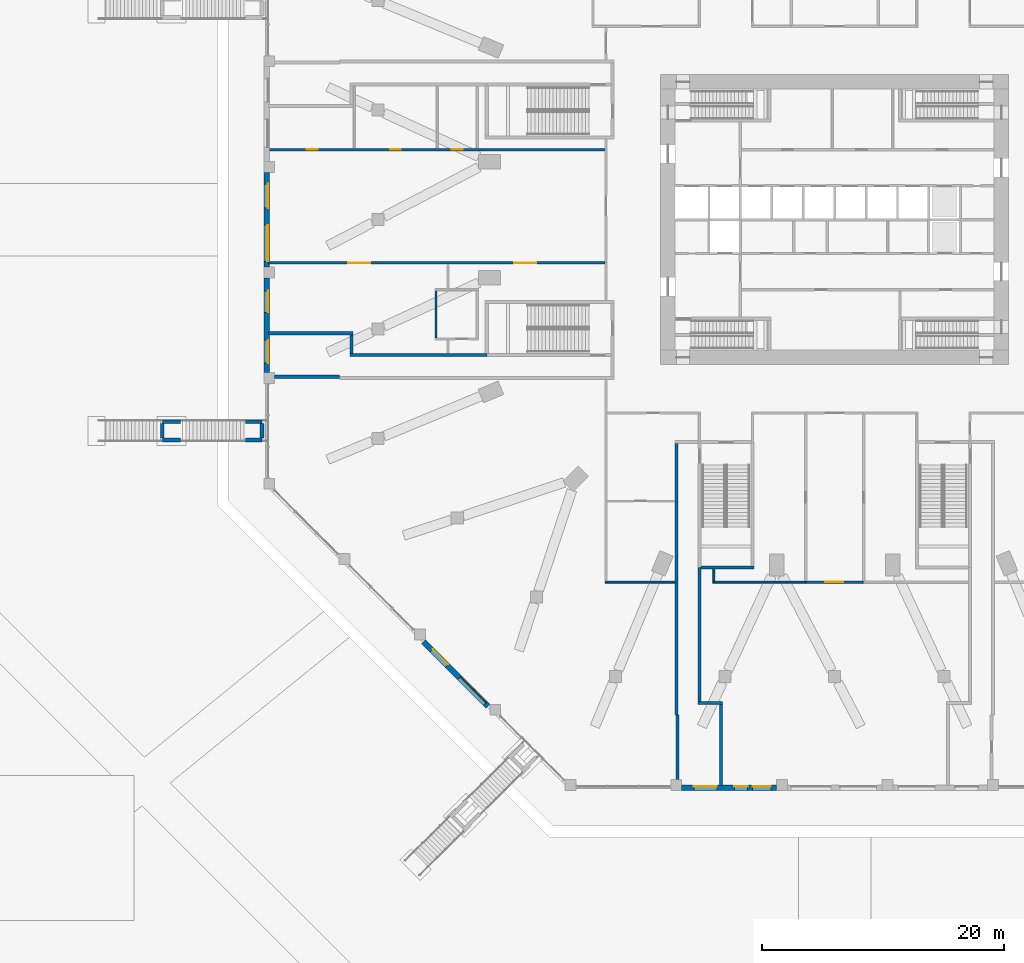
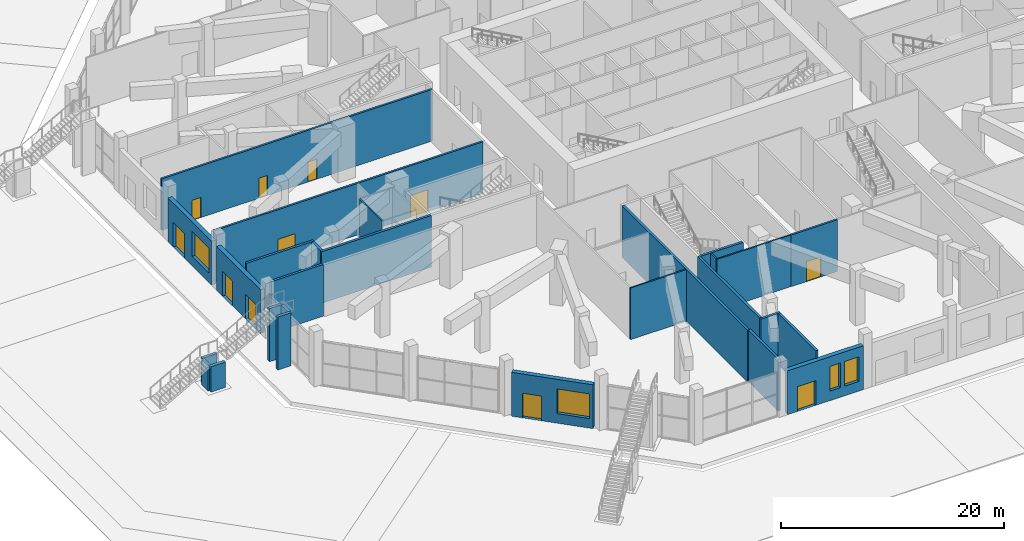
# One storey, part 20 of 36: 27 walls, 11 doors, 4 windows, 15 openings.
"""IFC4 building model written with IfcOpenShell, lengths in metres."""

from ifc_helpers import new_model, si_unit, direction, frame, frame_2d, origin, place, context, subcontext, project, spatial, rectangle, extrude, material, layer, layer_set, type_object, element, fill, save


model = new_model("IFC4")

# Units and contexts
model_context = context("Model", 3, precision=1e-05, world=origin(), true_north=direction((0.0, 1.0)))
body_context = subcontext(model_context, "Body", "Model", "MODEL_VIEW")
ifc_project = project(units=[si_unit("LENGTHUNIT", "METRE"), si_unit("AREAUNIT", "SQUARE_METRE"), si_unit("VOLUMEUNIT", "CUBIC_METRE"), si_unit("PLANEANGLEUNIT", "RADIAN"), si_unit("MASSUNIT", "GRAM", prefix="KILO")], contexts=[model_context])

# Site, building, storey
site_placement = place(None, origin())
site = spatial("IfcSite", under=ifc_project, at=site_placement, CompositionType="ELEMENT")
building_placement = place(site_placement, origin())
building = spatial("IfcBuilding", under=site, at=building_placement, Name="Msitu Wima Residences", CompositionType="ELEMENT")
storey_placement = place(building_placement, origin())
storey = spatial("IfcBuildingStorey", under=building, at=storey_placement, Name="L00", CompositionType="ELEMENT", Elevation=0.0)

# Wall, openings, door, window
ifc_material_1 = material(Name="Brick (red buff mix), cavity wall of two leaves", Category="masonry")
ifc_layer_1 = layer(ifc_material_1, 0.449951171875)
ifc_layer_set_1 = layer_set([ifc_layer_1], Name="Brick (red buff mix), cavity wall of two leaves")
wall_type_1 = type_object("IfcWallType", Name="Brick infill wall BW450 podium", PredefinedType="ELEMENTEDWALL", material=ifc_layer_set_1)
wall_1_placement = place(storey_placement, frame((-47.02490234375, 3.921142578125, 0.0), z_axis=(0.0, 0.0, 1.0), x_axis=(0.0, -1.0, 0.0)))
wall_1 = element("IfcWall", 1, at=wall_1_placement, inside=storey, type_object=wall_type_1, Name="Brick infill wall L00 W2", PredefinedType="ELEMENTEDWALL", context=body_context, shape_type="SweptSolid", body=[
    extrude(rectangle(XDim=7.84228515625, YDim=0.449951171875, at=frame_2d((3.921142578125, 0.0))), origin(), (0.0, 0.0, 1.0), 4.800048828125),
])
opening_1_placement = place(wall_1_placement, frame((0.960693359375, 0.0, 0.0)))
opening_1 = element("IfcOpeningElement", 2, at=opening_1_placement, cuts=wall_1, Name="Opening D00.021", PredefinedType="OPENING", context=body_context, shape_type="SweptSolid", body=[
    extrude(rectangle(XDim=2.0, YDim=2.699951171875, at=frame_2d((1.0, 1.35009765625))), frame((0.0, 0.23486328125, 0.0), z_axis=(0.0, -1.0, 0.0), x_axis=(1.0, 0.0, 0.0)), (0.0, 0.0, 1.0), 0.469970703125),
])
opening_2_placement = place(wall_1_placement, frame((4.37109375, 0.0, 1.050048828125)))
opening_2 = element("IfcOpeningElement", 3, at=opening_2_placement, cuts=wall_1, Name="Opening W00.014", PredefinedType="OPENING", context=body_context, shape_type="SweptSolid", body=[
    extrude(rectangle(XDim=3.0, YDim=2.699951171875, at=frame_2d((1.5, 1.35009765625))), frame((0.0, 0.23486328125, 0.0), z_axis=(0.0, -1.0, 0.0), x_axis=(1.0, 0.0, 0.0)), (0.0, 0.0, 1.0), 0.469970703125),
])
ifc_material_2 = material(Name="Anodised aluminium, bronze finish, clear low-emissivity double glazing", Category="aluminium")
door_type_1 = type_object("IfcDoorType", Name="Entrance door D2000x2700", OperationType="DOUBLE_DOOR_SINGLE_SWING", PredefinedType="DOOR", material=ifc_material_2)
door_1_placement = place(opening_1_placement, frame((2.0, 0.0, 0.0), z_axis=(0.0, 0.0, 1.0), x_axis=(-1.0, 0.0, 0.0)))
door_1 = element("IfcDoor", 4, at=door_1_placement, inside=storey, type_object=door_type_1, Name="Entrance door L00 W2", OperationType="DOUBLE_DOOR_SINGLE_SWING", OverallHeight=2.699951171875, OverallWidth=2.0, PredefinedType="DOOR", context=body_context, shape_type="SweptSolid", body=[
    extrude(rectangle(XDim=2.0, YDim=2.699951171875, at=frame_2d((1.0, 1.35009765625))), frame((0.0, -0.079833984375, 0.0), z_axis=(0.0, -1.0, 0.0), x_axis=(1.0, 0.0, 0.0)), (0.0, 0.0, 1.0), 0.050048828125),
])
fill(opening_1, door_1)
window_type_1 = type_object("IfcWindowType", Name="Window W3000x2700", PartitioningType="DOUBLE_PANEL_VERTICAL", PredefinedType="WINDOW", material=ifc_material_2)
window_1_placement = place(opening_2_placement, origin())
window_1 = element("IfcWindow", 5, at=window_1_placement, inside=storey, type_object=window_type_1, Name="Window L00 W2.2", OverallHeight=2.699951171875, OverallWidth=3.0, PartitioningType="SINGLE_PANEL", PredefinedType="WINDOW", context=body_context, shape_type="SweptSolid", body=[
    extrude(rectangle(XDim=3.0, YDim=2.699951171875, at=frame_2d((1.5, 1.35009765625))), frame((0.0, 0.135009765625, 0.0), z_axis=(0.0, -1.0, 0.0), x_axis=(1.0, 0.0, 0.0)), (0.0, 0.0, 1.0), 0.06005859375),
])
fill(opening_2, window_1)

# Wall, openings, doors
wall_2_placement = place(storey_placement, frame((-47.02490234375, -4.8212890625, 0.0), z_axis=(0.0, 0.0, 1.0), x_axis=(0.0, -1.0, 0.0)))
wall_2 = element("IfcWall", 6, at=wall_2_placement, inside=storey, type_object=wall_type_1, Name="Brick infill wall L00 W3", PredefinedType="ELEMENTEDWALL", context=body_context, shape_type="SweptSolid", body=[
    extrude(rectangle(XDim=7.84228515625, YDim=0.449951171875, at=frame_2d((3.921142578125, 0.0))), origin(), (0.0, 0.0, 1.0), 4.800048828125),
])
opening_3_placement = place(wall_2_placement, frame((1.060546875, 0.0, 0.0)))
opening_3 = element("IfcOpeningElement", 7, at=opening_3_placement, cuts=wall_2, Name="Opening D00.022", PredefinedType="OPENING", context=body_context, shape_type="SweptSolid", body=[
    extrude(rectangle(XDim=1.800048828125, YDim=2.699951171875, at=frame_2d((0.89990234375, 1.35009765625))), frame((0.0, 0.23486328125, 0.0), z_axis=(0.0, -1.0, 0.0), x_axis=(1.0, 0.0, 0.0)), (0.0, 0.0, 1.0), 0.469970703125),
])
opening_4_placement = place(wall_2_placement, frame((5.15673828125, 0.0, 0.0)))
opening_4 = element("IfcOpeningElement", 8, at=opening_4_placement, cuts=wall_2, Name="Opening D00.023", PredefinedType="OPENING", context=body_context, shape_type="SweptSolid", body=[
    extrude(rectangle(XDim=1.89990234375, YDim=2.699951171875, at=frame_2d((0.949951171875, 1.35009765625))), frame((0.0, 0.23486328125, 0.0), z_axis=(0.0, -1.0, 0.0), x_axis=(1.0, 0.0, 0.0)), (0.0, 0.0, 1.0), 0.469970703125),
])
ifc_material_3 = material(Name="Anodised aluminium, bronze finish, clear laminated glazing", Category="aluminium")
door_type_2 = type_object("IfcDoorType", Name="Exit door D1900x2700", OperationType="DOUBLE_DOOR_SINGLE_SWING", PredefinedType="DOOR", material=ifc_material_3)
door_2_placement = place(opening_4_placement, frame((1.89990234375, 0.0, 0.0), z_axis=(0.0, 0.0, 1.0), x_axis=(-1.0, 0.0, 0.0)))
door_2 = element("IfcDoor", 9, at=door_2_placement, inside=storey, type_object=door_type_2, Name="Exit door L00 W3", OperationType="DOUBLE_DOOR_SINGLE_SWING", OverallHeight=2.699951171875, OverallWidth=1.89990234375, PredefinedType="DOOR", context=body_context, shape_type="SweptSolid", body=[
    extrude(rectangle(XDim=1.89990234375, YDim=2.699951171875, at=frame_2d((0.949951171875, 1.35009765625))), frame((0.0, -0.079833984375, 0.0), z_axis=(0.0, -1.0, 0.0), x_axis=(1.0, 0.0, 0.0)), (0.0, 0.0, 1.0), 0.050048828125),
])
fill(opening_4, door_2)
door_type_3 = type_object("IfcDoorType", Name="Shopfront door D1800x2700", OperationType="DOUBLE_DOOR_SINGLE_SWING", PredefinedType="DOOR", material=ifc_material_3)
door_3_placement = place(opening_3_placement, frame((1.800048828125, 0.0, 0.0), z_axis=(0.0, 0.0, 1.0), x_axis=(-1.0, 0.0, 0.0)))
door_3 = element("IfcDoor", 10, at=door_3_placement, inside=storey, type_object=door_type_3, Name="Shopfront door L00 W3", OperationType="DOUBLE_DOOR_SINGLE_SWING", OverallHeight=2.699951171875, OverallWidth=1.800048828125, PredefinedType="DOOR", context=body_context, shape_type="SweptSolid", body=[
    extrude(rectangle(XDim=1.800048828125, YDim=2.699951171875, at=frame_2d((0.900146484375, 1.35009765625))), frame((0.0, -0.079833984375, 0.0), z_axis=(0.0, -1.0, 0.0), x_axis=(1.0, 0.0, 0.0)), (0.0, 0.0, 1.0), 0.050048828125),
])
fill(opening_3, door_3)

# Wall, openings, door, window
wall_3_placement = place(storey_placement, frame((-34.037109375, -34.93701171875, 0.0), z_axis=(0.0, 0.0, 1.0), x_axis=(0.707122957123, -0.70709060488, 0.0)))
wall_3 = element("IfcWall", 11, at=wall_3_placement, inside=storey, type_object=wall_type_1, Name="Brick infill wall L00 SW2", PredefinedType="ELEMENTEDWALL", context=body_context, shape_type="SweptSolid", body=[
    extrude(rectangle(XDim=7.54638671875, YDim=0.449951171875, at=frame_2d((3.773193359375, 0.0))), origin(), (0.0, 0.0, 1.0), 4.800048828125),
])
opening_5_placement = place(wall_3_placement, frame((0.986572265625, 0.0, 0.0)))
opening_5 = element("IfcOpeningElement", 12, at=opening_5_placement, cuts=wall_3, Name="Opening D00.019", PredefinedType="OPENING", context=body_context, shape_type="SweptSolid", body=[
    extrude(rectangle(XDim=1.800048828125, YDim=2.699951171875, at=frame_2d((0.89990234375, 1.35009765625))), frame((0.0, 0.23486328125, 0.0), z_axis=(0.0, -1.0, 0.0), x_axis=(1.0, 0.0, 0.0)), (0.0, 0.0, 1.0), 0.469970703125),
])
opening_6_placement = place(wall_3_placement, frame((4.22314453125, 0.0, 1.050048828125)))
opening_6 = element("IfcOpeningElement", 13, at=opening_6_placement, cuts=wall_3, Name="Opening W00.012", PredefinedType="OPENING", context=body_context, shape_type="SweptSolid", body=[
    extrude(rectangle(XDim=3.0, YDim=2.699951171875, at=frame_2d((1.5, 1.35009765625))), frame((0.0, 0.23486328125, 0.0), z_axis=(0.0, -1.0, 0.0), x_axis=(1.0, 0.0, 0.0)), (0.0, 0.0, 1.0), 0.469970703125),
])
door_4_placement = place(opening_5_placement, frame((1.800048828125, 0.0, 0.0), z_axis=(0.0, 0.0, 1.0), x_axis=(-1.0, 0.0, 0.0)))
door_4 = element("IfcDoor", 14, at=door_4_placement, inside=storey, type_object=door_type_3, Name="Shopfront door L00 SW2", OperationType="DOUBLE_DOOR_SINGLE_SWING", OverallHeight=2.699951171875, OverallWidth=1.800048828125, PredefinedType="DOOR", context=body_context, shape_type="SweptSolid", body=[
    extrude(rectangle(XDim=1.800048828125, YDim=2.699951171875, at=frame_2d((0.900146484375, 1.35009765625))), frame((0.0, -0.079833984375, 0.0), z_axis=(0.0, -1.0, 0.0), x_axis=(1.0, 0.0, 0.0)), (0.0, 0.0, 1.0), 0.050048828125),
])
fill(opening_5, door_4)
window_2_placement = place(opening_6_placement, origin())
window_2 = element("IfcWindow", 15, at=window_2_placement, inside=storey, type_object=window_type_1, Name="Window L00 SW2.2", OverallHeight=2.699951171875, OverallWidth=3.0, PartitioningType="SINGLE_PANEL", PredefinedType="WINDOW", context=body_context, shape_type="SweptSolid", body=[
    extrude(rectangle(XDim=3.0, YDim=2.699951171875, at=frame_2d((1.5, 1.35009765625))), frame((0.0, 0.135009765625, 0.0), z_axis=(0.0, -1.0, 0.0), x_axis=(1.0, 0.0, 0.0)), (0.0, 0.0, 1.0), 0.06005859375),
])
fill(opening_6, window_2)

# Wall, openings, door, windows
wall_4_placement = place(storey_placement, frame((-12.66357421875, -47.02490234375, 0.0), z_axis=(0.0, 0.0, 1.0), x_axis=(1.0, 0.0, 0.0)))
wall_4 = element("IfcWall", 16, at=wall_4_placement, inside=storey, type_object=wall_type_1, Name="Brick infill wall L00 S1", PredefinedType="ELEMENTEDWALL", context=body_context, shape_type="SweptSolid", body=[
    extrude(rectangle(XDim=7.84228515625, YDim=0.449951171875, at=frame_2d((3.921142578125, 0.0))), origin(), (0.0, 0.0, 1.0), 4.800048828125),
])
opening_7_placement = place(wall_4_placement, frame((1.010498046875, 0.0, 0.0)))
opening_7 = element("IfcOpeningElement", 17, at=opening_7_placement, cuts=wall_4, Name="Opening D00.014", PredefinedType="OPENING", context=body_context, shape_type="SweptSolid", body=[
    extrude(rectangle(XDim=1.89990234375, YDim=2.699951171875, at=frame_2d((0.949951171875, 1.35009765625))), frame((0.0, 0.23486328125, 0.0), z_axis=(0.0, -1.0, 0.0), x_axis=(1.0, 0.0, 0.0)), (0.0, 0.0, 1.0), 0.469970703125),
])
opening_8_placement = place(wall_4_placement, frame((4.37109375, 0.0, 1.050048828125)))
opening_8 = element("IfcOpeningElement", 18, at=opening_8_placement, cuts=wall_4, Name="Opening W00.006", PredefinedType="OPENING", context=body_context, shape_type="SweptSolid", body=[
    extrude(rectangle(XDim=1.090087890625, YDim=2.699951171875, at=frame_2d((0.544921875, 1.35009765625))), frame((0.0, 0.23486328125, 0.0), z_axis=(0.0, -1.0, 0.0), x_axis=(1.0, 0.0, 0.0)), (0.0, 0.0, 1.0), 0.469970703125),
])
opening_9_placement = place(wall_4_placement, frame((5.86376953125, 0.0, 1.050048828125)))
opening_9 = element("IfcOpeningElement", 19, at=opening_9_placement, cuts=wall_4, Name="Opening W00.007", PredefinedType="OPENING", context=body_context, shape_type="SweptSolid", body=[
    extrude(rectangle(XDim=1.510009765625, YDim=2.699951171875, at=frame_2d((0.7548828125, 1.35009765625))), frame((0.0, 0.23486328125, 0.0), z_axis=(0.0, -1.0, 0.0), x_axis=(1.0, 0.0, 0.0)), (0.0, 0.0, 1.0), 0.469970703125),
])
door_5_placement = place(opening_7_placement, frame((1.89990234375, 0.0, 0.0), z_axis=(0.0, 0.0, 1.0), x_axis=(-1.0, 0.0, 0.0)))
door_5 = element("IfcDoor", 20, at=door_5_placement, inside=storey, type_object=door_type_2, Name="Exit door L00 S1", OperationType="DOUBLE_DOOR_SINGLE_SWING", OverallHeight=2.699951171875, OverallWidth=1.89990234375, PredefinedType="DOOR", context=body_context, shape_type="SweptSolid", body=[
    extrude(rectangle(XDim=1.89990234375, YDim=2.699951171875, at=frame_2d((0.949951171875, 1.35009765625))), frame((0.0, -0.079833984375, 0.0), z_axis=(0.0, -1.0, 0.0), x_axis=(1.0, 0.0, 0.0)), (0.0, 0.0, 1.0), 0.050048828125),
])
fill(opening_7, door_5)
window_type_2 = type_object("IfcWindowType", Name="Window W1090x2700", PartitioningType="DOUBLE_PANEL_VERTICAL", PredefinedType="WINDOW", material=ifc_material_2)
window_3_placement = place(opening_8_placement, origin())
window_3 = element("IfcWindow", 21, at=window_3_placement, inside=storey, type_object=window_type_2, Name="Window L00 S1.2a", OverallHeight=2.699951171875, OverallWidth=1.090087890625, PartitioningType="SINGLE_PANEL", PredefinedType="WINDOW", context=body_context, shape_type="SweptSolid", body=[
    extrude(rectangle(XDim=1.090087890625, YDim=2.699951171875, at=frame_2d((0.544921875, 1.35009765625))), frame((0.0, 0.135009765625, 0.0), z_axis=(0.0, -1.0, 0.0), x_axis=(1.0, 0.0, 0.0)), (0.0, 0.0, 1.0), 0.06005859375),
])
fill(opening_8, window_3)
window_type_3 = type_object("IfcWindowType", Name="Window W1510x2700", PartitioningType="DOUBLE_PANEL_VERTICAL", PredefinedType="WINDOW", material=ifc_material_2)
window_4_placement = place(opening_9_placement, origin())
window_4 = element("IfcWindow", 22, at=window_4_placement, inside=storey, type_object=window_type_3, Name="Window L00 S1.2b", OverallHeight=2.699951171875, OverallWidth=1.510009765625, PartitioningType="SINGLE_PANEL", PredefinedType="WINDOW", context=body_context, shape_type="SweptSolid", body=[
    extrude(rectangle(XDim=1.510009765625, YDim=2.699951171875, at=frame_2d((0.7548828125, 1.35009765625))), frame((0.0, 0.135009765625, 0.0), z_axis=(0.0, -1.0, 0.0), x_axis=(1.0, 0.0, 0.0)), (0.0, 0.0, 1.0), 0.06005859375),
])
fill(opening_9, window_4)

# Wall, openings, doors
ifc_material_4 = material(Name="Plaster")
ifc_layer_2 = layer(ifc_material_4, 0.011962890625, Name="Plaster")
ifc_material_5 = material(Name="Concrete blockwork", Category="masonry")
ifc_layer_3 = layer(ifc_material_5, 0.176025390625, Name="Concrete blockwork")
ifc_layer_4 = layer(ifc_material_4, 0.011962890625, Name="Plaster")
ifc_layer_set_2 = layer_set([ifc_layer_2, ifc_layer_3, ifc_layer_4], Name="Concrete blockwork")
wall_type_2 = type_object("IfcWallType", Name="Corridor wall FW200", PredefinedType="PARTITIONING", material=ifc_layer_set_2)
wall_5_placement = place(storey_placement, frame((-46.85498046875, -3.5712890625, 0.0), z_axis=(0.0, 0.0, 1.0), x_axis=(1.0, 0.0, 0.0)))
wall_5 = element("IfcWall", 23, at=wall_5_placement, inside=storey, type_object=wall_type_2, Name="Corridor wall", PredefinedType="PARTITIONING", context=body_context, shape_type="SweptSolid", body=[
    extrude(rectangle(XDim=27.8271484375, YDim=0.199951171875, at=frame_2d((13.91357421875, 0.0))), origin(), (0.0, 0.0, 1.0), 5.64990234375),
])
opening_10_placement = place(wall_5_placement, frame((6.60009765625, 0.0, 0.0)))
opening_10 = element("IfcOpeningElement", 24, at=opening_10_placement, cuts=wall_5, Name="Opening D00.056", PredefinedType="OPENING", context=body_context, shape_type="SweptSolid", body=[
    extrude(rectangle(XDim=1.800048828125, YDim=2.39990234375, at=frame_2d((0.89990234375, 1.199951171875))), frame((0.0, 0.10986328125, 0.0), z_axis=(0.0, -1.0, 0.0), x_axis=(1.0, 0.0, 0.0)), (0.0, 0.0, 1.0), 0.219970703125),
])
opening_11_placement = place(wall_5_placement, frame((20.35009765625, 0.0, 0.0)))
opening_11 = element("IfcOpeningElement", 25, at=opening_11_placement, cuts=wall_5, Name="Opening D00.057", PredefinedType="OPENING", context=body_context, shape_type="SweptSolid", body=[
    extrude(rectangle(XDim=1.800048828125, YDim=2.39990234375, at=frame_2d((0.89990234375, 1.199951171875))), frame((0.0, 0.10986328125, 0.0), z_axis=(0.0, -1.0, 0.0), x_axis=(1.0, 0.0, 0.0)), (0.0, 0.0, 1.0), 0.219970703125),
])
ifc_material_6 = material(Name="Glazed aluminium door", Category="aluminium")
door_type_4 = type_object("IfcDoorType", Name="Shopfront door D11 1800x2400", OperationType="DOUBLE_DOOR_SINGLE_SWING", PredefinedType="DOOR", material=ifc_material_6)
door_6_placement = place(opening_10_placement, origin())
door_6 = element("IfcDoor", 26, at=door_6_placement, inside=storey, type_object=door_type_4, Name="Shopfront door", OperationType="DOUBLE_DOOR_SINGLE_SWING", OverallHeight=2.39990234375, OverallWidth=1.800048828125, PredefinedType="DOOR", context=body_context, shape_type="SweptSolid", body=[
    extrude(rectangle(XDim=1.800048828125, YDim=2.39990234375, at=frame_2d((0.89990234375, 1.199951171875))), frame((0.0, 0.02490234375, 0.0), z_axis=(0.0, -1.0, 0.0), x_axis=(1.0, 0.0, 0.0)), (0.0, 0.0, 1.0), 0.050048828125),
])
fill(opening_10, door_6)
door_7_placement = place(opening_11_placement, origin())
door_7 = element("IfcDoor", 27, at=door_7_placement, inside=storey, type_object=door_type_4, Name="Shopfront door", OperationType="DOUBLE_DOOR_SINGLE_SWING", OverallHeight=2.39990234375, OverallWidth=1.800048828125, PredefinedType="DOOR", context=body_context, shape_type="SweptSolid", body=[
    extrude(rectangle(XDim=1.800048828125, YDim=2.39990234375, at=frame_2d((0.89990234375, 1.199951171875))), frame((0.0, 0.02490234375, 0.0), z_axis=(0.0, -1.0, 0.0), x_axis=(1.0, 0.0, 0.0)), (0.0, 0.0, 1.0), 0.050048828125),
])
fill(opening_11, door_7)

wall_6_placement = place(storey_placement, frame((-46.85498046875, 5.800048828125, 0.0), z_axis=(0.0, 0.0, 1.0), x_axis=(1.0, 0.0, 0.0)))
wall_6 = element("IfcWall", 28, at=wall_6_placement, inside=storey, type_object=wall_type_2, Name="Corridor wall", PredefinedType="PARTITIONING", context=body_context, shape_type="SweptSolid", body=[
    extrude(rectangle(XDim=28.027099609375, YDim=0.199951171875, at=frame_2d((14.013671875, 0.0))), origin(), (0.0, 0.0, 1.0), 5.64990234375),
])
opening_12_placement = place(wall_6_placement, frame((3.14990234375, 0.0, 0.0)))
opening_12 = element("IfcOpeningElement", 29, at=opening_12_placement, cuts=wall_6, Name="Opening D00.062", PredefinedType="OPENING", context=body_context, shape_type="SweptSolid", body=[
    extrude(rectangle(XDim=0.89990234375, YDim=2.199951171875, at=frame_2d((0.449951171875, 1.10009765625))), frame((0.0, 0.10986328125, 0.0), z_axis=(0.0, -1.0, 0.0), x_axis=(1.0, 0.0, 0.0)), (0.0, 0.0, 1.0), 0.219970703125),
])
opening_13_placement = place(wall_6_placement, frame((10.050048828125, 0.0, 0.0)))
opening_13 = element("IfcOpeningElement", 30, at=opening_13_placement, cuts=wall_6, Name="Opening D00.064", PredefinedType="OPENING", context=body_context, shape_type="SweptSolid", body=[
    extrude(rectangle(XDim=0.89990234375, YDim=2.199951171875, at=frame_2d((0.449951171875, 1.10009765625))), frame((0.0, 0.10986328125, 0.0), z_axis=(0.0, -1.0, 0.0), x_axis=(1.0, 0.0, 0.0)), (0.0, 0.0, 1.0), 0.219970703125),
])
opening_14_placement = place(wall_6_placement, frame((15.14990234375, 0.0, 0.0)))
opening_14 = element("IfcOpeningElement", 31, at=opening_14_placement, cuts=wall_6, Name="Opening D00.065", PredefinedType="OPENING", context=body_context, shape_type="SweptSolid", body=[
    extrude(rectangle(XDim=0.89990234375, YDim=2.199951171875, at=frame_2d((0.449951171875, 1.10009765625))), frame((0.0, 0.10986328125, 0.0), z_axis=(0.0, -1.0, 0.0), x_axis=(1.0, 0.0, 0.0)), (0.0, 0.0, 1.0), 0.219970703125),
])
ifc_material_7 = material(Name="Timber flush door, moisture resistant", Category="wood")
door_type_5 = type_object("IfcDoorType", Name="Bathroom door D03 900x2200", OperationType="SINGLE_SWING_LEFT", PredefinedType="DOOR", material=ifc_material_7)
door_8_placement = place(opening_13_placement, origin())
door_8 = element("IfcDoor", 32, at=door_8_placement, inside=storey, type_object=door_type_5, Name="Bathroom door", OperationType="SINGLE_SWING_LEFT", OverallHeight=2.199951171875, OverallWidth=0.89990234375, PredefinedType="DOOR", context=body_context, shape_type="SweptSolid", body=[
    extrude(rectangle(XDim=0.89990234375, YDim=2.199951171875, at=frame_2d((0.449951171875, 1.10009765625))), frame((0.0, 0.02490234375, 0.0), z_axis=(0.0, -1.0, 0.0), x_axis=(1.0, 0.0, 0.0)), (0.0, 0.0, 1.0), 0.050048828125),
])
fill(opening_13, door_8)
door_9_placement = place(opening_14_placement, origin())
door_9 = element("IfcDoor", 33, at=door_9_placement, inside=storey, type_object=door_type_5, Name="Bathroom door", OperationType="SINGLE_SWING_LEFT", OverallHeight=2.199951171875, OverallWidth=0.89990234375, PredefinedType="DOOR", context=body_context, shape_type="SweptSolid", body=[
    extrude(rectangle(XDim=0.89990234375, YDim=2.199951171875, at=frame_2d((0.449951171875, 1.10009765625))), frame((0.0, 0.02490234375, 0.0), z_axis=(0.0, -1.0, 0.0), x_axis=(1.0, 0.0, 0.0)), (0.0, 0.0, 1.0), 0.050048828125),
])
fill(opening_14, door_9)
ifc_material_8 = material(Name="Timber flush door", Category="wood")
door_type_6 = type_object("IfcDoorType", Name="Service door D05 900x2200", OperationType="SINGLE_SWING_LEFT", PredefinedType="DOOR", material=ifc_material_8)
door_10_placement = place(opening_12_placement, origin())
door_10 = element("IfcDoor", 34, at=door_10_placement, inside=storey, type_object=door_type_6, Name="Service door", OperationType="SINGLE_SWING_RIGHT", OverallHeight=2.199951171875, OverallWidth=0.89990234375, PredefinedType="DOOR", context=body_context, shape_type="SweptSolid", body=[
    extrude(rectangle(XDim=0.89990234375, YDim=2.199951171875, at=frame_2d((0.449951171875, 1.10009765625))), frame((0.0, 0.02490234375, 0.0), z_axis=(0.0, -1.0, 0.0), x_axis=(1.0, 0.0, 0.0)), (0.0, 0.0, 1.0), 0.050048828125),
])
fill(opening_12, door_10)

# Wall, opening, door
wall_7_placement = place(storey_placement, frame((-2.39990234375, -30.0, 0.0), z_axis=(0.0, 0.0, 1.0), x_axis=(1.0, 0.0, 0.0)))
wall_7 = element("IfcWall", 35, at=wall_7_placement, inside=storey, type_object=wall_type_2, Name="Corridor wall", PredefinedType="PARTITIONING", context=body_context, shape_type="SweptSolid", body=[
    extrude(rectangle(XDim=4.77978515625, YDim=0.199951171875, at=frame_2d((2.389892578125, 0.0))), origin(), (0.0, 0.0, 1.0), 5.64990234375),
])
opening_15_placement = place(wall_7_placement, frame((1.60009765625, 0.0, 0.0)))
opening_15 = element("IfcOpeningElement", 36, at=opening_15_placement, cuts=wall_7, Name="Opening D00.052", PredefinedType="OPENING", context=body_context, shape_type="SweptSolid", body=[
    extrude(rectangle(XDim=1.5, YDim=2.199951171875, at=frame_2d((0.75, 1.10009765625))), frame((0.0, 0.10986328125, 0.0), z_axis=(0.0, -1.0, 0.0), x_axis=(1.0, 0.0, 0.0)), (0.0, 0.0, 1.0), 0.219970703125),
])
ifc_material_9 = material(Name="Timber double door", Category="wood")
door_type_7 = type_object("IfcDoorType", Name="Double door D04 1500x2200", OperationType="DOUBLE_DOOR_SINGLE_SWING", PredefinedType="DOOR", material=ifc_material_9)
door_11_placement = place(opening_15_placement, origin())
door_11 = element("IfcDoor", 37, at=door_11_placement, inside=storey, type_object=door_type_7, Name="Double door", OperationType="DOUBLE_DOOR_SINGLE_SWING", OverallHeight=2.199951171875, OverallWidth=1.5, PredefinedType="DOOR", context=body_context, shape_type="SweptSolid", body=[
    extrude(rectangle(XDim=1.5, YDim=2.199951171875, at=frame_2d((0.75, 1.10009765625))), frame((0.0, 0.02490234375, 0.0), z_axis=(0.0, -1.0, 0.0), x_axis=(1.0, 0.0, 0.0)), (0.0, 0.0, 1.0), 0.050048828125),
])
fill(opening_15, door_11)

# Walls
ifc_material_10 = material(Name="Facing brick")
ifc_layer_5 = layer(ifc_material_10, 0.06494140625, Name="Facing brick")
ifc_material_11 = material(Name="Concrete C40/50", Category="concrete")
ifc_layer_6 = layer(ifc_material_11, 0.235107421875, Name="Concrete C40/50")
ifc_layer_set_3 = layer_set([ifc_layer_5, ifc_layer_6], Name="Concrete C40/50")
wall_type_3 = type_object("IfcWallType", Name="Garden stair support wall SW300", PredefinedType="SOLIDWALL", material=ifc_layer_set_3)
for number, where, z_axis, x_axis, name in (
    (38, (-47.39990234375, -16.734619140625, 0.0), (0.0, 0.0, 1.0), (-1.0, 0.0, 0.0), "Garden stair 3 support wall"),
    (39, (-47.39990234375, -18.234619140625, 0.0), (0.0, 0.0, 1.0), (-1.0, 0.0, 0.0), "Garden stair 3 support wall"),
):
    element("IfcWall", number, at=place(storey_placement, frame(where, z_axis=z_axis, x_axis=x_axis)), inside=storey, type_object=wall_type_3, Name=name, PredefinedType="SOLIDWALL", context=body_context, shape_type="SweptSolid", body=[
        extrude(rectangle(XDim=1.35009765625, YDim=0.300048828125, at=frame_2d((0.675048828125, 0.0))), origin(), (0.0, 0.0, 1.0), 5.800048828125),
    ])
wall_8_placement = place(storey_placement, frame((-47.39990234375, -16.884765625, 0.0), z_axis=(0.0, 0.0, 1.0), x_axis=(0.0, -1.0, 0.0)))
element("IfcWall", 40, at=wall_8_placement, inside=storey, type_object=wall_type_3, Name="Garden stair 3 support wall", PredefinedType="SOLIDWALL", context=body_context, shape_type="SweptSolid", body=[
    extrude(rectangle(XDim=1.199951171875, YDim=0.300048828125, at=frame_2d((0.60009765625, 0.0))), origin(), (0.0, 0.0, 1.0), 5.800048828125),
])
for number, where, z_axis, x_axis, name in (
    (41, (-54.14990234375, -16.734619140625, 0.0), (0.0, 0.0, 1.0), (-1.0, 0.0, 0.0), "Garden stair 3 support wall"),
    (42, (-54.14990234375, -18.234619140625, 0.0), (0.0, 0.0, 1.0), (-1.0, 0.0, 0.0), "Garden stair 3 support wall"),
):
    element("IfcWall", number, at=place(storey_placement, frame(where, z_axis=z_axis, x_axis=x_axis)), inside=storey, type_object=wall_type_3, Name=name, PredefinedType="SOLIDWALL", context=body_context, shape_type="SweptSolid", body=[
        extrude(rectangle(XDim=1.5, YDim=0.300048828125, at=frame_2d((0.75, 0.0))), origin(), (0.0, 0.0, 1.0), 2.800048828125),
    ])
wall_9_placement = place(storey_placement, frame((-55.64990234375, -16.884765625, 0.0), z_axis=(0.0, 0.0, 1.0), x_axis=(0.0, -1.0, 0.0)))
element("IfcWall", 43, at=wall_9_placement, inside=storey, type_object=wall_type_3, Name="Garden stair 3 support wall", PredefinedType="SOLIDWALL", context=body_context, shape_type="SweptSolid", body=[
    extrude(rectangle(XDim=1.199951171875, YDim=0.300048828125, at=frame_2d((0.60009765625, 0.0))), origin(), (0.0, 0.0, 1.0), 2.800048828125),
])
ifc_layer_7 = layer(ifc_material_4, 0.011962890625, Name="Plaster")
ifc_layer_8 = layer(ifc_material_5, 0.1259765625, Name="Concrete blockwork")
ifc_layer_9 = layer(ifc_material_4, 0.011962890625, Name="Plaster")
ifc_layer_set_4 = layer_set([ifc_layer_7, ifc_layer_8, ifc_layer_9], Name="Concrete blockwork")
wall_type_4 = type_object("IfcWallType", Name="Partition PW150", PredefinedType="PARTITIONING", material=ifc_layer_set_4)
wall_10_placement = place(storey_placement, frame((-33.0, -9.7890625, 0.0), z_axis=(0.0, 0.0, 1.0), x_axis=(0.0, 1.0, 0.0)))
element("IfcWall", 44, at=wall_10_placement, inside=storey, type_object=wall_type_4, Name="Partition", PredefinedType="PARTITIONING", context=body_context, shape_type="SweptSolid", body=[
    extrude(rectangle(XDim=3.9140625, YDim=0.14990234375, at=frame_2d((1.95703125, 0.0))), origin(), (0.0, 0.0, 1.0), 5.64990234375),
])
wall_11_placement = place(storey_placement, frame((-19.0029296875, -30.0, 0.0), z_axis=(0.0, 0.0, 1.0), x_axis=(1.0, 0.0, 0.0)))
element("IfcWall", 45, at=wall_11_placement, inside=storey, type_object=wall_type_4, Name="Partition", PredefinedType="PARTITIONING", context=body_context, shape_type="SweptSolid", body=[
    extrude(rectangle(XDim=5.77783203125, YDim=0.14990234375, at=frame_2d((2.888916015625, 0.0))), origin(), (0.0, 0.0, 1.0), 5.64990234375),
])
wall_12_placement = place(storey_placement, frame((-10.0, -29.925048828125, 0.0), z_axis=(0.0, 0.0, 1.0), x_axis=(0.0, 1.0, 0.0)))
element("IfcWall", 46, at=wall_12_placement, inside=storey, type_object=wall_type_4, Name="Partition", PredefinedType="PARTITIONING", context=body_context, shape_type="SweptSolid", body=[
    extrude(rectangle(XDim=1.0, YDim=0.14990234375, at=frame_2d((0.5, 0.0))), origin(), (0.0, 0.0, 1.0), 5.64990234375),
])
wall_13_placement = place(storey_placement, frame((-10.074951171875, -30.0, 0.0), z_axis=(0.0, 0.0, 1.0), x_axis=(1.0, 0.0, 0.0)))
element("IfcWall", 47, at=wall_13_placement, inside=storey, type_object=wall_type_4, Name="Partition", PredefinedType="PARTITIONING", context=body_context, shape_type="SweptSolid", body=[
    extrude(rectangle(XDim=7.675048828125, YDim=0.14990234375, at=frame_2d((3.83740234375, 0.0))), origin(), (0.0, 0.0, 1.0), 5.64990234375),
])
ifc_material_12 = material(Name="Concrete C50/60", Category="concrete")
ifc_layer_10 = layer(ifc_material_12, 0.25)
ifc_layer_set_5 = layer_set([ifc_layer_10], Name="Concrete C50/60")
wall_type_5 = type_object("IfcWallType", Name="Stair enclosure wall SW250", PredefinedType="SHEAR", material=ifc_layer_set_5)
wall_14_placement = place(storey_placement, frame((-11.074951171875, -28.800048828125, 0.0), z_axis=(0.0, 0.0, 1.0), x_axis=(1.0, 0.0, 0.0)))
element("IfcWall", 48, at=wall_14_placement, inside=storey, type_object=wall_type_5, Name="Stair enclosure wall", PredefinedType="SHEAR", context=body_context, shape_type="SweptSolid", body=[
    extrude(rectangle(XDim=4.39990234375, YDim=0.25, at=frame_2d((2.199951171875, 0.0))), origin(), (0.0, 0.0, 1.0), 5.64990234375),
])
ifc_layer_11 = layer(ifc_material_4, 0.011962890625, Name="Plaster")
ifc_material_13 = material(Name="Reinforced concrete blockwork", Category="masonry")
ifc_layer_12 = layer(ifc_material_13, 0.22607421875, Name="Reinforced concrete blockwork")
ifc_layer_13 = layer(ifc_material_4, 0.011962890625, Name="Plaster")
ifc_layer_set_6 = layer_set([ifc_layer_11, ifc_layer_12, ifc_layer_13], Name="Reinforced concrete blockwork")
wall_type_6 = type_object("IfcWallType", Name="Stair enclosure wall SW250B", PredefinedType="PARTITIONING", material=ifc_layer_set_6)
wall_15_placement = place(storey_placement, frame((-46.35009765625, -13.0, 0.0), z_axis=(0.0, 0.0, 1.0), x_axis=(1.0, 0.0, 0.0)))
element("IfcWall", 49, at=wall_15_placement, inside=storey, type_object=wall_type_6, Name="Stair enclosure wall", PredefinedType="PARTITIONING", context=body_context, shape_type="SweptSolid", body=[
    extrude(rectangle(XDim=5.35009765625, YDim=0.25, at=frame_2d((2.675048828125, 0.0))), origin(), (0.0, 0.0, 1.0), 5.64990234375),
])
wall_16_placement = place(storey_placement, frame((-46.85498046875, -9.39990234375, 0.0), z_axis=(0.0, 0.0, 1.0), x_axis=(1.0, 0.0, 0.0)))
element("IfcWall", 50, at=wall_16_placement, inside=storey, type_object=wall_type_6, Name="Stair enclosure wall", PredefinedType="PARTITIONING", context=body_context, shape_type="SweptSolid", body=[
    extrude(rectangle(XDim=6.97998046875, YDim=0.25, at=frame_2d((3.489990234375, 0.0))), origin(), (0.0, 0.0, 1.0), 5.64990234375),
])
wall_17_placement = place(storey_placement, frame((-40.0, -11.074951171875, 0.0), z_axis=(0.0, 0.0, 1.0), x_axis=(0.0, 1.0, 0.0)))
element("IfcWall", 51, at=wall_17_placement, inside=storey, type_object=wall_type_6, Name="Stair enclosure wall", PredefinedType="PARTITIONING", context=body_context, shape_type="SweptSolid", body=[
    extrude(rectangle(XDim=1.550048828125, YDim=0.25, at=frame_2d((0.77490234375, 0.0))), origin(), (0.0, 0.0, 1.0), 5.64990234375),
])
wall_18_placement = place(storey_placement, frame((-40.125, -11.199951171875, 0.0), z_axis=(0.0, 0.0, 1.0), x_axis=(1.0, 0.0, 0.0)))
element("IfcWall", 52, at=wall_18_placement, inside=storey, type_object=wall_type_6, Name="Stair enclosure wall", PredefinedType="PARTITIONING", context=body_context, shape_type="SweptSolid", body=[
    extrude(rectangle(XDim=11.344970703125, YDim=0.25, at=frame_2d((5.67236328125, 0.0))), origin(), (0.0, 0.0, 1.0), 5.64990234375),
])
wall_19_placement = place(storey_placement, frame((-13.10009765625, -41.0, 0.0), z_axis=(0.0, 0.0, 1.0), x_axis=(0.0, 1.0, 0.0)))
element("IfcWall", 53, at=wall_19_placement, inside=storey, type_object=wall_type_6, Name="Stair enclosure wall", PredefinedType="PARTITIONING", context=body_context, shape_type="SweptSolid", body=[
    extrude(rectangle(XDim=22.47509765625, YDim=0.25, at=frame_2d((11.237548828125, 0.0))), origin(), (0.0, 0.0, 1.0), 5.64990234375),
])
wall_20_placement = place(storey_placement, frame((-13.0, -46.35009765625, 0.0), z_axis=(0.0, 0.0, 1.0), x_axis=(0.0, 1.0, 0.0)))
element("IfcWall", 54, at=wall_20_placement, inside=storey, type_object=wall_type_6, Name="Stair enclosure wall", PredefinedType="PARTITIONING", context=body_context, shape_type="SweptSolid", body=[
    extrude(rectangle(XDim=5.35009765625, YDim=0.25, at=frame_2d((2.675048828125, 0.0))), origin(), (0.0, 0.0, 1.0), 5.64990234375),
])
wall_21_placement = place(storey_placement, frame((-11.199951171875, -39.875, 0.0), z_axis=(0.0, 0.0, 1.0), x_axis=(0.0, 1.0, 0.0)))
element("IfcWall", 55, at=wall_21_placement, inside=storey, type_object=wall_type_6, Name="Stair enclosure wall", PredefinedType="PARTITIONING", context=body_context, shape_type="SweptSolid", body=[
    extrude(rectangle(XDim=11.094970703125, YDim=0.25, at=frame_2d((5.54736328125, 0.0))), origin(), (0.0, 0.0, 1.0), 5.64990234375),
])
wall_22_placement = place(storey_placement, frame((-11.324951171875, -40.0, 0.0), z_axis=(0.0, 0.0, 1.0), x_axis=(1.0, 0.0, 0.0)))
element("IfcWall", 56, at=wall_22_placement, inside=storey, type_object=wall_type_6, Name="Stair enclosure wall", PredefinedType="PARTITIONING", context=body_context, shape_type="SweptSolid", body=[
    extrude(rectangle(XDim=2.050048828125, YDim=0.25, at=frame_2d((1.02490234375, 0.0))), origin(), (0.0, 0.0, 1.0), 5.64990234375),
])
wall_23_placement = place(storey_placement, frame((-9.39990234375, -46.85498046875, 0.0), z_axis=(0.0, 0.0, 1.0), x_axis=(0.0, 1.0, 0.0)))
element("IfcWall", 57, at=wall_23_placement, inside=storey, type_object=wall_type_6, Name="Stair enclosure wall", PredefinedType="PARTITIONING", context=body_context, shape_type="SweptSolid", body=[
    extrude(rectangle(XDim=6.72998046875, YDim=0.25, at=frame_2d((3.364990234375, 0.0))), origin(), (0.0, 0.0, 1.0), 5.64990234375),
])

save(model, "model.ifc")
